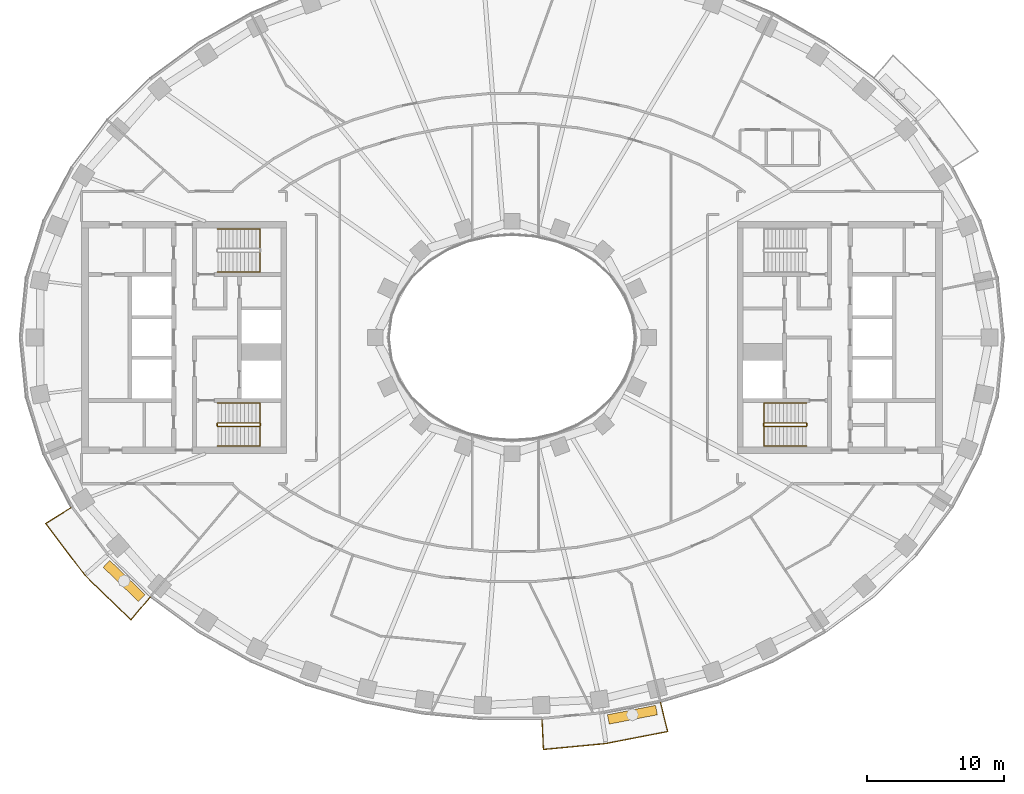
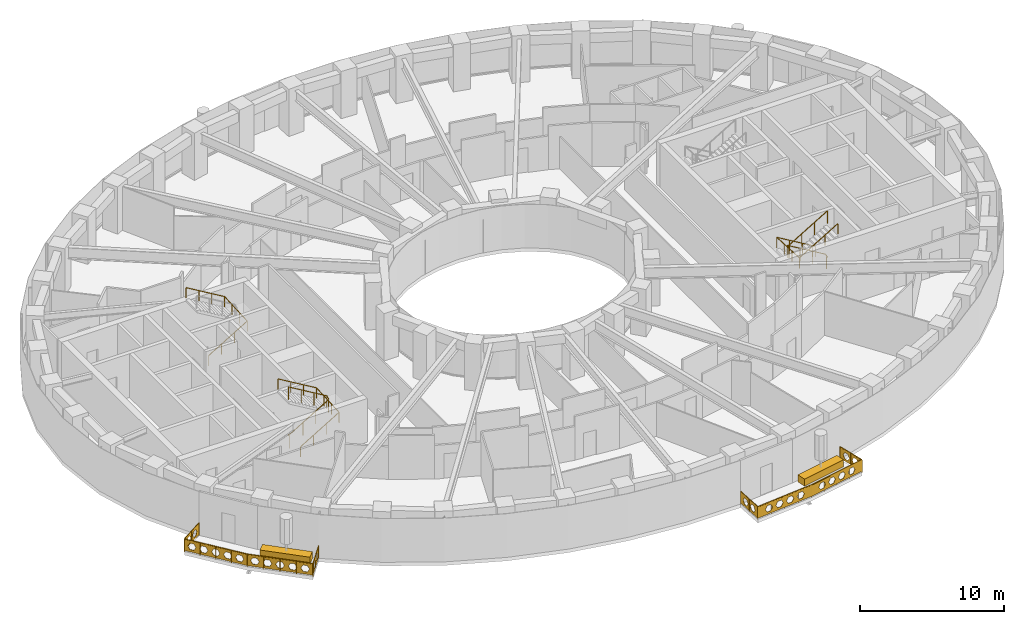
# One storey, part 15 of 17: 7 railings, 2 coverings.
"""IFC4 building model written with IfcOpenShell, lengths in metres."""

from ifc_helpers import new_model, si_unit, direction, frame, origin, origin_2d, place, context, subcontext, project, spatial, polyline, rectangle, outline, extrude, material, type_object, element, save


model = new_model("IFC4")

# Units and contexts
model_context = context("Model", 3, precision=1e-05, world=origin(), true_north=direction((0.0, 1.0)))
body_context = subcontext(model_context, "Body", "Model", "MODEL_VIEW")
ifc_project = project(units=[si_unit("LENGTHUNIT", "METRE"), si_unit("AREAUNIT", "SQUARE_METRE"), si_unit("VOLUMEUNIT", "CUBIC_METRE"), si_unit("PLANEANGLEUNIT", "RADIAN"), si_unit("MASSUNIT", "GRAM", prefix="KILO")], contexts=[model_context])

# Site, building, storey
site_placement = place(None, origin())
site = spatial("IfcSite", under=ifc_project, at=site_placement, CompositionType="ELEMENT")
building_placement = place(site_placement, origin())
building = spatial("IfcBuilding", under=site, at=building_placement, Name="Noorbagh Ring Tower", CompositionType="ELEMENT")
storey_placement = place(building_placement, frame((0.0, 0.0, 120.0)))
storey = spatial("IfcBuildingStorey", under=building, at=storey_placement, Name="L27", CompositionType="ELEMENT", Elevation=120.0)

# Railings
ifc_material_1 = material(Name="Stainless steel", Category="steel")
railing_type_1 = type_object("IfcRailingType", Name="CORE-STAIR-GUARD", PredefinedType="GUARDRAIL", material=ifc_material_1)
railing_1_placement = place(storey_placement, frame((-21.580078125, -6.449951171875, 0.0)))
element("IfcRailing", 1, at=railing_1_placement, inside=storey, type_object=railing_type_1, Name="L27 ST2 stair guard", PredefinedType="GUARDRAIL", context=body_context, shape_type="SweptSolid", body=[
    extrude(rectangle(XDim=0.048095703125, YDim=0.048095703125, at=origin_2d()), frame((0.0, 0.0, 1.076171875), z_axis=(0.0, 1.0, 0.0), x_axis=(-1.0, 0.0, 0.0)), (0.0, 0.0, 1.0), 0.14990234375),
    extrude(rectangle(XDim=0.048095703125, YDim=0.048095703125, at=origin_2d()), frame((0.0, 0.14990234375, 1.076171875), z_axis=(0.188775798145, -0.754182335027, 0.628945707965), x_axis=(0.970072785993, 0.242814311512, 0.0)), (0.0, 0.0, 1.0), 0.26513671875),
    extrude(rectangle(XDim=0.048095703125, YDim=0.048095703125, at=origin_2d()), frame((0.050048828125, -0.050048828125, 1.24267578125), z_axis=(0.859308565015, 0.0, 0.511457515432), x_axis=(0.0, 1.0, 0.0)), (0.0, 0.0, 1.0), 3.58447265625),
    extrude(rectangle(XDim=0.048095703125, YDim=0.048095703125, at=origin_2d()), frame((3.130126953125, -0.050048828125, 3.076171875), z_axis=(0.707106781187, 0.707106781187, 0.0), x_axis=(-0.707106781187, 0.707106781187, 0.0)), (0.0, 0.0, 1.0), 0.07080078125),
    extrude(rectangle(XDim=0.048095703125, YDim=0.048095703125, at=origin_2d()), frame((3.18017578125, 0.0, 3.076171875), z_axis=(0.0, 1.0, 0.0), x_axis=(-1.0, 0.0, 0.0)), (0.0, 0.0, 1.0), 0.14990234375),
    extrude(rectangle(XDim=0.048095703125, YDim=0.048095703125, at=origin_2d()), frame((3.18017578125, 0.14990234375, 3.076171875), z_axis=(-0.27628659633, 0.27628659633, 0.920506074601), x_axis=(-0.707106781187, -0.707106781187, 0.0)), (0.0, 0.0, 1.0), 0.18115234375),
    extrude(rectangle(XDim=0.048095703125, YDim=0.048095703125, at=origin_2d()), frame((3.130126953125, 0.199951171875, 3.24267578125), z_axis=(-0.859308565015, 0.0, 0.511457515432), x_axis=(0.0, -1.0, 0.0)), (0.0, 0.0, 1.0), 3.58447265625),
    extrude(rectangle(XDim=0.0419921875, YDim=0.0419921875, at=origin_2d()), origin(), (0.0, 0.0, 1.0), 1.052001953125),
    extrude(rectangle(XDim=0.0419921875, YDim=0.0419921875, at=origin_2d()), frame((1.07666015625, -0.050048828125, 0.77783203125)), (0.0, 0.0, 1.0), 1.052001953125),
    extrude(rectangle(XDim=0.0419921875, YDim=0.0419921875, at=origin_2d()), frame((2.103515625, -0.050048828125, 1.388916015625)), (0.0, 0.0, 1.0), 1.052001953125),
    extrude(rectangle(XDim=0.0419921875, YDim=0.0419921875, at=origin_2d()), frame((3.130126953125, -0.050048828125, 2.0)), (0.0, 0.0, 1.0), 1.052001953125),
    extrude(rectangle(XDim=0.0419921875, YDim=0.0419921875, at=origin_2d()), frame((3.130126953125, 0.199951171875, 2.166748046875)), (0.0, 0.0, 1.0), 1.052001953125),
    extrude(rectangle(XDim=0.0419921875, YDim=0.0419921875, at=origin_2d()), frame((2.103515625, 0.199951171875, 2.77783203125)), (0.0, 0.0, 1.0), 1.052001953125),
    extrude(rectangle(XDim=0.0419921875, YDim=0.0419921875, at=origin_2d()), frame((1.07666015625, 0.199951171875, 3.388916015625)), (0.0, 0.0, 1.0), 1.052001953125),
    extrude(rectangle(XDim=0.0419921875, YDim=0.0419921875, at=origin_2d()), frame((0.050048828125, 0.199951171875, 4.0)), (0.0, 0.0, 1.0), 1.052001953125),
])
railing_2_placement = place(storey_placement, frame((21.580078125, -6.300048828125, 0.0)))
element("IfcRailing", 2, at=railing_2_placement, inside=storey, type_object=railing_type_1, Name="L27 ST4 stair guard", PredefinedType="GUARDRAIL", context=body_context, shape_type="SweptSolid", body=[
    extrude(rectangle(XDim=0.048095703125, YDim=0.048095703125, at=origin_2d()), frame((0.0, 0.0, 1.076171875), z_axis=(0.0, -1.0, 0.0), x_axis=(1.0, 0.0, 0.0)), (0.0, 0.0, 1.0), 0.14990234375),
    extrude(rectangle(XDim=0.048095703125, YDim=0.048095703125, at=origin_2d()), frame((0.0, -0.14990234375, 1.076171875), z_axis=(-0.188775798145, 0.754182335027, 0.628945707965), x_axis=(-0.970072785993, -0.242814311512, 0.0)), (0.0, 0.0, 1.0), 0.26513671875),
    extrude(rectangle(XDim=0.048095703125, YDim=0.048095703125, at=origin_2d()), frame((-0.050048828125, 0.050048828125, 1.24267578125), z_axis=(-0.859308565015, 0.0, 0.511457515432), x_axis=(0.0, -1.0, 0.0)), (0.0, 0.0, 1.0), 3.58447265625),
    extrude(rectangle(XDim=0.048095703125, YDim=0.048095703125, at=origin_2d()), frame((-3.130126953125, 0.050048828125, 3.076171875), z_axis=(-0.707106781187, -0.707106781187, 0.0), x_axis=(0.707106781187, -0.707106781187, 0.0)), (0.0, 0.0, 1.0), 0.07080078125),
    extrude(rectangle(XDim=0.048095703125, YDim=0.048095703125, at=origin_2d()), frame((-3.18017578125, 0.0, 3.076171875), z_axis=(0.0, -1.0, 0.0), x_axis=(1.0, 0.0, 0.0)), (0.0, 0.0, 1.0), 0.14990234375),
    extrude(rectangle(XDim=0.048095703125, YDim=0.048095703125, at=origin_2d()), frame((-3.18017578125, -0.14990234375, 3.076171875), z_axis=(0.27628659633, -0.27628659633, 0.920506074601), x_axis=(0.707106781187, 0.707106781187, 0.0)), (0.0, 0.0, 1.0), 0.18115234375),
    extrude(rectangle(XDim=0.048095703125, YDim=0.048095703125, at=origin_2d()), frame((-3.130126953125, -0.199951171875, 3.24267578125), z_axis=(0.859308565015, 0.0, 0.511457515432), x_axis=(0.0, 1.0, 0.0)), (0.0, 0.0, 1.0), 3.58447265625),
    extrude(rectangle(XDim=0.0419921875, YDim=0.0419921875, at=origin_2d()), origin(), (0.0, 0.0, 1.0), 1.052001953125),
    extrude(rectangle(XDim=0.0419921875, YDim=0.0419921875, at=origin_2d()), frame((-1.07666015625, 0.050048828125, 0.77783203125)), (0.0, 0.0, 1.0), 1.052001953125),
    extrude(rectangle(XDim=0.0419921875, YDim=0.0419921875, at=origin_2d()), frame((-2.103515625, 0.050048828125, 1.388916015625)), (0.0, 0.0, 1.0), 1.052001953125),
    extrude(rectangle(XDim=0.0419921875, YDim=0.0419921875, at=origin_2d()), frame((-3.130126953125, 0.050048828125, 2.0)), (0.0, 0.0, 1.0), 1.052001953125),
    extrude(rectangle(XDim=0.0419921875, YDim=0.0419921875, at=origin_2d()), frame((-3.130126953125, -0.199951171875, 2.166748046875)), (0.0, 0.0, 1.0), 1.052001953125),
    extrude(rectangle(XDim=0.0419921875, YDim=0.0419921875, at=origin_2d()), frame((-2.103515625, -0.199951171875, 2.77783203125)), (0.0, 0.0, 1.0), 1.052001953125),
    extrude(rectangle(XDim=0.0419921875, YDim=0.0419921875, at=origin_2d()), frame((-1.07666015625, -0.199951171875, 3.388916015625)), (0.0, 0.0, 1.0), 1.052001953125),
    extrude(rectangle(XDim=0.0419921875, YDim=0.0419921875, at=origin_2d()), frame((-0.050048828125, -0.199951171875, 4.0)), (0.0, 0.0, 1.0), 1.052001953125),
])
ifc_material_2 = material(Name="Stainless steel", Category="steel")
railing_type_2 = type_object("IfcRailingType", Name="CORE-STAIR-HANDRAIL", PredefinedType="HANDRAIL", material=ifc_material_2)
railing_3_placement = place(storey_placement, frame((-21.530029296875, 4.800048828125, 0.166748046875)))
element("IfcRailing", 3, at=railing_3_placement, inside=storey, type_object=railing_type_2, Name="L27 ST1 stair handrail", PredefinedType="HANDRAIL", context=body_context, shape_type="SweptSolid", body=[
    extrude(rectangle(XDim=0.048095703125, YDim=0.048095703125, at=origin_2d()), frame((0.0, 0.0, 0.8759765625), z_axis=(0.859308565015, 0.0, 0.511457515432), x_axis=(0.0, 1.0, 0.0)), (0.0, 0.0, 1.0), 3.58447265625),
    extrude(rectangle(XDim=0.048095703125, YDim=0.048095703125, at=origin_2d()), frame((3.080078125, 0.0, 2.708984375), z_axis=(0.0, 0.998601747152, 0.052863509014), x_axis=(-1.0, 0.0, 0.0)), (0.0, 0.0, 1.0), 3.154296875),
    extrude(rectangle(XDim=0.048095703125, YDim=0.048095703125, at=origin_2d()), frame((3.080078125, 3.14990234375, 2.8759765625), z_axis=(-0.859308565015, 0.0, 0.511457515432), x_axis=(0.0, -1.0, 0.0)), (0.0, 0.0, 1.0), 3.58447265625),
    extrude(rectangle(XDim=0.0419921875, YDim=0.0419921875, at=origin_2d()), origin(), (0.0, 0.0, 1.0), 0.851806640625),
    extrude(rectangle(XDim=0.0419921875, YDim=0.0419921875, at=origin_2d()), frame((1.026611328125, 0.0, 0.611083984375)), (0.0, 0.0, 1.0), 0.851806640625),
    extrude(rectangle(XDim=0.0419921875, YDim=0.0419921875, at=origin_2d()), frame((2.053466796875, 0.0, 1.22216796875)), (0.0, 0.0, 1.0), 0.851806640625),
    extrude(rectangle(XDim=0.0419921875, YDim=0.0419921875, at=origin_2d()), frame((3.080078125, 0.0, 1.833251953125)), (0.0, 0.0, 1.0), 0.851806640625),
    extrude(rectangle(XDim=0.0419921875, YDim=0.0419921875, at=origin_2d()), frame((3.080078125, 1.050048828125, 1.888916015625)), (0.0, 0.0, 1.0), 0.851806640625),
    extrude(rectangle(XDim=0.0419921875, YDim=0.0419921875, at=origin_2d()), frame((3.080078125, 2.099853515625, 1.9443359375)), (0.0, 0.0, 1.0), 0.851806640625),
    extrude(rectangle(XDim=0.0419921875, YDim=0.0419921875, at=origin_2d()), frame((3.080078125, 3.14990234375, 2.0)), (0.0, 0.0, 1.0), 0.851806640625),
    extrude(rectangle(XDim=0.0419921875, YDim=0.0419921875, at=origin_2d()), frame((2.053466796875, 3.14990234375, 2.611083984375)), (0.0, 0.0, 1.0), 0.851806640625),
    extrude(rectangle(XDim=0.0419921875, YDim=0.0419921875, at=origin_2d()), frame((1.026611328125, 3.14990234375, 3.22216796875)), (0.0, 0.0, 1.0), 0.851806640625),
    extrude(rectangle(XDim=0.0419921875, YDim=0.0419921875, at=origin_2d()), frame((0.0, 3.14990234375, 3.833251953125)), (0.0, 0.0, 1.0), 0.851806640625),
])
railing_4_placement = place(storey_placement, frame((-21.530029296875, -7.949951171875, 0.166748046875)))
element("IfcRailing", 4, at=railing_4_placement, inside=storey, type_object=railing_type_2, Name="L27 ST2 stair handrail", PredefinedType="HANDRAIL", context=body_context, shape_type="SweptSolid", body=[
    extrude(rectangle(XDim=0.048095703125, YDim=0.048095703125, at=origin_2d()), frame((0.0, 0.0, 0.8759765625), z_axis=(0.859308565015, 0.0, 0.511457515432), x_axis=(0.0, 1.0, 0.0)), (0.0, 0.0, 1.0), 3.58447265625),
    extrude(rectangle(XDim=0.048095703125, YDim=0.048095703125, at=origin_2d()), frame((3.080078125, 0.0, 2.708984375), z_axis=(0.0, 0.998601747152, 0.052863509014), x_axis=(-1.0, 0.0, 0.0)), (0.0, 0.0, 1.0), 3.154296875),
    extrude(rectangle(XDim=0.048095703125, YDim=0.048095703125, at=origin_2d()), frame((3.080078125, 3.14990234375, 2.8759765625), z_axis=(-0.859308565015, 0.0, 0.511457515432), x_axis=(0.0, -1.0, 0.0)), (0.0, 0.0, 1.0), 3.58447265625),
    extrude(rectangle(XDim=0.0419921875, YDim=0.0419921875, at=origin_2d()), origin(), (0.0, 0.0, 1.0), 0.851806640625),
    extrude(rectangle(XDim=0.0419921875, YDim=0.0419921875, at=origin_2d()), frame((1.026611328125, 0.0, 0.611083984375)), (0.0, 0.0, 1.0), 0.851806640625),
    extrude(rectangle(XDim=0.0419921875, YDim=0.0419921875, at=origin_2d()), frame((2.053466796875, 0.0, 1.22216796875)), (0.0, 0.0, 1.0), 0.851806640625),
    extrude(rectangle(XDim=0.0419921875, YDim=0.0419921875, at=origin_2d()), frame((3.080078125, 0.0, 1.833251953125)), (0.0, 0.0, 1.0), 0.851806640625),
    extrude(rectangle(XDim=0.0419921875, YDim=0.0419921875, at=origin_2d()), frame((3.080078125, 1.050048828125, 1.888916015625)), (0.0, 0.0, 1.0), 0.851806640625),
    extrude(rectangle(XDim=0.0419921875, YDim=0.0419921875, at=origin_2d()), frame((3.080078125, 2.099853515625, 1.9443359375)), (0.0, 0.0, 1.0), 0.851806640625),
    extrude(rectangle(XDim=0.0419921875, YDim=0.0419921875, at=origin_2d()), frame((3.080078125, 3.14990234375, 2.0)), (0.0, 0.0, 1.0), 0.851806640625),
    extrude(rectangle(XDim=0.0419921875, YDim=0.0419921875, at=origin_2d()), frame((2.053466796875, 3.14990234375, 2.611083984375)), (0.0, 0.0, 1.0), 0.851806640625),
    extrude(rectangle(XDim=0.0419921875, YDim=0.0419921875, at=origin_2d()), frame((1.026611328125, 3.14990234375, 3.22216796875)), (0.0, 0.0, 1.0), 0.851806640625),
    extrude(rectangle(XDim=0.0419921875, YDim=0.0419921875, at=origin_2d()), frame((0.0, 3.14990234375, 3.833251953125)), (0.0, 0.0, 1.0), 0.851806640625),
])
railing_5_placement = place(storey_placement, frame((21.530029296875, -4.800048828125, 0.166748046875)))
element("IfcRailing", 5, at=railing_5_placement, inside=storey, type_object=railing_type_2, Name="L27 ST4 stair handrail", PredefinedType="HANDRAIL", context=body_context, shape_type="SweptSolid", body=[
    extrude(rectangle(XDim=0.048095703125, YDim=0.048095703125, at=origin_2d()), frame((0.0, 0.0, 0.8759765625), z_axis=(-0.859308565015, 0.0, 0.511457515432), x_axis=(0.0, -1.0, 0.0)), (0.0, 0.0, 1.0), 3.58447265625),
    extrude(rectangle(XDim=0.048095703125, YDim=0.048095703125, at=origin_2d()), frame((-3.080078125, 0.0, 2.708984375), z_axis=(0.0, -0.998601747152, 0.052863509014), x_axis=(1.0, 0.0, 0.0)), (0.0, 0.0, 1.0), 3.154296875),
    extrude(rectangle(XDim=0.048095703125, YDim=0.048095703125, at=origin_2d()), frame((-3.080078125, -3.14990234375, 2.8759765625), z_axis=(0.859308565015, 0.0, 0.511457515432), x_axis=(0.0, 1.0, 0.0)), (0.0, 0.0, 1.0), 3.58447265625),
    extrude(rectangle(XDim=0.0419921875, YDim=0.0419921875, at=origin_2d()), origin(), (0.0, 0.0, 1.0), 0.851806640625),
    extrude(rectangle(XDim=0.0419921875, YDim=0.0419921875, at=origin_2d()), frame((-1.026611328125, 0.0, 0.611083984375)), (0.0, 0.0, 1.0), 0.851806640625),
    extrude(rectangle(XDim=0.0419921875, YDim=0.0419921875, at=origin_2d()), frame((-2.053466796875, 0.0, 1.22216796875)), (0.0, 0.0, 1.0), 0.851806640625),
    extrude(rectangle(XDim=0.0419921875, YDim=0.0419921875, at=origin_2d()), frame((-3.080078125, 0.0, 1.833251953125)), (0.0, 0.0, 1.0), 0.851806640625),
    extrude(rectangle(XDim=0.0419921875, YDim=0.0419921875, at=origin_2d()), frame((-3.080078125, -1.050048828125, 1.888916015625)), (0.0, 0.0, 1.0), 0.851806640625),
    extrude(rectangle(XDim=0.0419921875, YDim=0.0419921875, at=origin_2d()), frame((-3.080078125, -2.099853515625, 1.9443359375)), (0.0, 0.0, 1.0), 0.851806640625),
    extrude(rectangle(XDim=0.0419921875, YDim=0.0419921875, at=origin_2d()), frame((-3.080078125, -3.14990234375, 2.0)), (0.0, 0.0, 1.0), 0.851806640625),
    extrude(rectangle(XDim=0.0419921875, YDim=0.0419921875, at=origin_2d()), frame((-2.053466796875, -3.14990234375, 2.611083984375)), (0.0, 0.0, 1.0), 0.851806640625),
    extrude(rectangle(XDim=0.0419921875, YDim=0.0419921875, at=origin_2d()), frame((-1.026611328125, -3.14990234375, 3.22216796875)), (0.0, 0.0, 1.0), 0.851806640625),
    extrude(rectangle(XDim=0.0419921875, YDim=0.0419921875, at=origin_2d()), frame((0.0, -3.14990234375, 3.833251953125)), (0.0, 0.0, 1.0), 0.851806640625),
])
ifc_material_3 = material(Name="Steel S275 black powder-coated", Category="steel")
railing_type_3 = type_object("IfcRailingType", Name="ENV-GUARD", PredefinedType="GUARDRAIL", material=ifc_material_3)
railing_6_placement = place(storey_placement, frame((-32.255126953125, -12.434814453125, 0.0)))
element("IfcRailing", 6, at=railing_6_placement, inside=storey, type_object=railing_type_3, Name="Balcony guard BS01", PredefinedType="GUARDRAIL", context=body_context, shape_type="SweptSolid", body=[
    extrude(rectangle(XDim=0.048095703125, YDim=0.048095703125, at=origin_2d()), frame((0.0, 0.0, 1.076171875), z_axis=(-0.844852397829, -0.534999463442, 0.0), x_axis=(0.534999463442, -0.844852397829, 0.0)), (0.0, 0.0, 1.0), 2.207763671875),
    extrude(rectangle(XDim=0.048095703125, YDim=0.048095703125, at=origin_2d()), frame((-1.865234375, -1.18115234375, 1.076171875), z_axis=(0.604001613322, -0.796983093362, 0.0), x_axis=(0.796983093362, 0.604001613322, 0.0)), (0.0, 0.0, 1.0), 4.7353515625),
    extrude(rectangle(XDim=0.048095703125, YDim=0.048095703125, at=origin_2d()), frame((0.994873046875, -4.955078125, 1.076171875), z_axis=(0.717212632946, -0.696854388766, 0.0), x_axis=(0.696854388766, 0.717212632946, 0.0)), (0.0, 0.0, 1.0), 4.700927734375),
    extrude(rectangle(XDim=0.048095703125, YDim=0.048095703125, at=origin_2d()), frame((4.366455078125, -8.23095703125, 1.076171875), z_axis=(0.646413574048, 0.762987215677, 0.0), x_axis=(-0.762987215677, 0.646413574048, 0.0)), (0.0, 0.0, 1.0), 2.205322265625),
    extrude(rectangle(XDim=0.0419921875, YDim=0.0419921875, at=origin_2d()), origin(), (0.0, 0.0, 1.0), 1.052001953125),
    extrude(rectangle(XDim=0.0419921875, YDim=0.0419921875, at=origin_2d()), frame((-0.9326171875, -0.590576171875, 0.0)), (0.0, 0.0, 1.0), 1.052001953125),
    extrude(rectangle(XDim=0.0419921875, YDim=0.0419921875, at=origin_2d()), frame((-1.865234375, -1.18115234375, 0.0)), (0.0, 0.0, 1.0), 1.052001953125),
    extrude(rectangle(XDim=0.0419921875, YDim=0.0419921875, at=origin_2d()), frame((-1.150146484375, -2.12451171875, 0.0)), (0.0, 0.0, 1.0), 1.052001953125),
    extrude(rectangle(XDim=0.0419921875, YDim=0.0419921875, at=origin_2d()), frame((-0.43505859375, -3.068115234375, 0.0)), (0.0, 0.0, 1.0), 1.052001953125),
    extrude(rectangle(XDim=0.0419921875, YDim=0.0419921875, at=origin_2d()), frame((0.27978515625, -4.01171875, 0.0)), (0.0, 0.0, 1.0), 1.052001953125),
    extrude(rectangle(XDim=0.0419921875, YDim=0.0419921875, at=origin_2d()), frame((0.994873046875, -4.955078125, 0.0)), (0.0, 0.0, 1.0), 1.052001953125),
    extrude(rectangle(XDim=0.0419921875, YDim=0.0419921875, at=origin_2d()), frame((1.837890625, -5.77392578125, 0.0)), (0.0, 0.0, 1.0), 1.052001953125),
    extrude(rectangle(XDim=0.0419921875, YDim=0.0419921875, at=origin_2d()), frame((2.6806640625, -6.593017578125, 0.0)), (0.0, 0.0, 1.0), 1.052001953125),
    extrude(rectangle(XDim=0.0419921875, YDim=0.0419921875, at=origin_2d()), frame((3.5234375, -7.412109375, 0.0)), (0.0, 0.0, 1.0), 1.052001953125),
    extrude(rectangle(XDim=0.0419921875, YDim=0.0419921875, at=origin_2d()), frame((4.366455078125, -8.23095703125, 0.0)), (0.0, 0.0, 1.0), 1.052001953125),
    extrude(rectangle(XDim=0.0419921875, YDim=0.0419921875, at=origin_2d()), frame((5.0791015625, -7.3896484375, 0.0)), (0.0, 0.0, 1.0), 1.052001953125),
    extrude(rectangle(XDim=0.0419921875, YDim=0.0419921875, at=origin_2d()), frame((5.7919921875, -6.54833984375, 0.0)), (0.0, 0.0, 1.0), 1.052001953125),
    extrude(outline(polyline([(0.0, 0.10009765625), (2.207763671875, 0.10009765625), (2.207763671875, 1.031982421875), (0.0, 1.031982421875), (0.0, 0.10009765625)]), holes=[polyline([(0.9638671875, 0.56591796875), (0.808837890625, 0.83447265625), (0.498779296875, 0.83447265625), (0.343994140625, 0.56591796875), (0.498779296875, 0.297607421875), (0.808837890625, 0.297607421875), (0.9638671875, 0.56591796875)]), polyline([(1.86376953125, 0.56591796875), (1.708984375, 0.83447265625), (1.39892578125, 0.83447265625), (1.243896484375, 0.56591796875), (1.39892578125, 0.297607421875), (1.708984375, 0.297607421875), (1.86376953125, 0.56591796875)])]), frame((0.00537109375, -0.008544921875, 0.0), z_axis=(-0.534999463442, 0.844852397829, 0.0), x_axis=(-0.844852397829, -0.534999463442, 0.0)), (0.0, 0.0, 1.0), 0.02001953125),
    extrude(outline(polyline([(0.0, 0.10009765625), (4.7353515625, 0.10009765625), (4.7353515625, 1.031982421875), (0.0, 1.031982421875), (0.0, 0.10009765625)]), holes=[polyline([(0.877685546875, 0.56591796875), (0.72265625, 0.83447265625), (0.41259765625, 0.83447265625), (0.257568359375, 0.56591796875), (0.41259765625, 0.297607421875), (0.72265625, 0.297607421875), (0.877685546875, 0.56591796875)]), polyline([(1.777587890625, 0.56591796875), (1.62255859375, 0.83447265625), (1.312744140625, 0.83447265625), (1.15771484375, 0.56591796875), (1.312744140625, 0.297607421875), (1.62255859375, 0.297607421875), (1.777587890625, 0.56591796875)]), polyline([(2.677734375, 0.56591796875), (2.522705078125, 0.83447265625), (2.212646484375, 0.83447265625), (2.0576171875, 0.56591796875), (2.212646484375, 0.297607421875), (2.522705078125, 0.297607421875), (2.677734375, 0.56591796875)]), polyline([(3.57763671875, 0.56591796875), (3.422607421875, 0.83447265625), (3.112548828125, 0.83447265625), (2.95751953125, 0.56591796875), (3.112548828125, 0.297607421875), (3.422607421875, 0.297607421875), (3.57763671875, 0.56591796875)]), polyline([(4.4775390625, 0.56591796875), (4.32275390625, 0.83447265625), (4.0126953125, 0.83447265625), (3.857666015625, 0.56591796875), (4.0126953125, 0.297607421875), (4.32275390625, 0.297607421875), (4.4775390625, 0.56591796875)])]), frame((-1.857177734375, -1.175048828125, 0.0), z_axis=(-0.796983093362, -0.604001613322, 0.0), x_axis=(0.604001613322, -0.796983093362, 0.0)), (0.0, 0.0, 1.0), 0.02001953125),
    extrude(outline(polyline([(0.0, 0.10009765625), (4.700927734375, 0.10009765625), (4.700927734375, 1.031982421875), (0.0, 1.031982421875), (0.0, 0.10009765625)]), holes=[polyline([(0.860595703125, 0.56591796875), (0.70556640625, 0.83447265625), (0.3955078125, 0.83447265625), (0.240478515625, 0.56591796875), (0.3955078125, 0.297607421875), (0.70556640625, 0.297607421875), (0.860595703125, 0.56591796875)]), polyline([(1.760498046875, 0.56591796875), (1.60546875, 0.83447265625), (1.29541015625, 0.83447265625), (1.140380859375, 0.56591796875), (1.29541015625, 0.297607421875), (1.60546875, 0.297607421875), (1.760498046875, 0.56591796875)]), polyline([(2.660400390625, 0.56591796875), (2.50537109375, 0.83447265625), (2.195556640625, 0.83447265625), (2.04052734375, 0.56591796875), (2.195556640625, 0.297607421875), (2.50537109375, 0.297607421875), (2.660400390625, 0.56591796875)]), polyline([(3.560546875, 0.56591796875), (3.405517578125, 0.83447265625), (3.095458984375, 0.83447265625), (2.9404296875, 0.56591796875), (3.095458984375, 0.297607421875), (3.405517578125, 0.297607421875), (3.560546875, 0.56591796875)]), polyline([(4.46044921875, 0.56591796875), (4.305419921875, 0.83447265625), (3.995361328125, 0.83447265625), (3.840576171875, 0.56591796875), (3.995361328125, 0.297607421875), (4.305419921875, 0.297607421875), (4.46044921875, 0.56591796875)])]), frame((1.001953125, -4.947998046875, 0.0), z_axis=(-0.696854388766, -0.717212632946, 0.0), x_axis=(0.717212632946, -0.696854388766, 0.0)), (0.0, 0.0, 1.0), 0.02001953125),
    extrude(outline(polyline([(0.0, 0.10009765625), (2.205322265625, 0.10009765625), (2.205322265625, 1.031982421875), (0.0, 1.031982421875), (0.0, 0.10009765625)]), holes=[polyline([(0.962646484375, 0.56591796875), (0.8076171875, 0.83447265625), (0.49755859375, 0.83447265625), (0.342529296875, 0.56591796875), (0.49755859375, 0.297607421875), (0.8076171875, 0.297607421875), (0.962646484375, 0.56591796875)]), polyline([(1.862548828125, 0.56591796875), (1.707763671875, 0.83447265625), (1.397705078125, 0.83447265625), (1.24267578125, 0.56591796875), (1.397705078125, 0.297607421875), (1.707763671875, 0.297607421875), (1.862548828125, 0.56591796875)])]), frame((4.35888671875, -8.224609375, 0.0), z_axis=(0.762987215677, -0.646413574048, 0.0), x_axis=(0.646413574048, 0.762987215677, 0.0)), (0.0, 0.0, 1.0), 0.02001953125),
])
railing_7_placement = place(storey_placement, frame((2.193115234375, -27.947998046875, 0.0)))
element("IfcRailing", 7, at=railing_7_placement, inside=storey, type_object=railing_type_3, Name="Balcony guard BS04", PredefinedType="GUARDRAIL", context=body_context, shape_type="SweptSolid", body=[
    extrude(rectangle(XDim=0.048095703125, YDim=0.048095703125, at=origin_2d()), frame((0.0, 0.0, 1.076171875), z_axis=(0.047554616162, -0.998868639252, 0.0), x_axis=(0.998868639252, 0.047554616162, 0.0)), (0.0, 0.0, 1.0), 2.202392578125),
    extrude(rectangle(XDim=0.048095703125, YDim=0.048095703125, at=origin_2d()), frame((0.104736328125, -2.199951171875, 1.076171875), z_axis=(0.995477555764, 0.094997031379, 0.0), x_axis=(-0.094997031379, 0.995477555764, 0.0)), (0.0, 0.0, 1.0), 4.59765625),
    extrude(rectangle(XDim=0.048095703125, YDim=0.048095703125, at=origin_2d()), frame((4.681640625, -1.76318359375, 1.076171875), z_axis=(0.981625049064, 0.1908199755, 0.0), x_axis=(-0.1908199755, 0.981625049064, 0.0)), (0.0, 0.0, 1.0), 4.603271484375),
    extrude(rectangle(XDim=0.048095703125, YDim=0.048095703125, at=origin_2d()), frame((9.200439453125, -0.884765625, 1.076171875), z_axis=(-0.239848558412, 0.970810315679, 0.0), x_axis=(-0.970810315679, -0.239848558412, 0.0)), (0.0, 0.0, 1.0), 2.20263671875),
    extrude(rectangle(XDim=0.0419921875, YDim=0.0419921875, at=origin_2d()), origin(), (0.0, 0.0, 1.0), 1.052001953125),
    extrude(rectangle(XDim=0.0419921875, YDim=0.0419921875, at=origin_2d()), frame((0.05224609375, -1.10009765625, 0.0)), (0.0, 0.0, 1.0), 1.052001953125),
    extrude(rectangle(XDim=0.0419921875, YDim=0.0419921875, at=origin_2d()), frame((0.104736328125, -2.199951171875, 0.0)), (0.0, 0.0, 1.0), 1.052001953125),
    extrude(rectangle(XDim=0.0419921875, YDim=0.0419921875, at=origin_2d()), frame((1.2490234375, -2.0908203125, 0.0)), (0.0, 0.0, 1.0), 1.052001953125),
    extrude(rectangle(XDim=0.0419921875, YDim=0.0419921875, at=origin_2d()), frame((2.39306640625, -1.9814453125, 0.0)), (0.0, 0.0, 1.0), 1.052001953125),
    extrude(rectangle(XDim=0.0419921875, YDim=0.0419921875, at=origin_2d()), frame((3.537353515625, -1.872314453125, 0.0)), (0.0, 0.0, 1.0), 1.052001953125),
    extrude(rectangle(XDim=0.0419921875, YDim=0.0419921875, at=origin_2d()), frame((4.681640625, -1.76318359375, 0.0)), (0.0, 0.0, 1.0), 1.052001953125),
    extrude(rectangle(XDim=0.0419921875, YDim=0.0419921875, at=origin_2d()), frame((5.811279296875, -1.54345703125, 0.0)), (0.0, 0.0, 1.0), 1.052001953125),
    extrude(rectangle(XDim=0.0419921875, YDim=0.0419921875, at=origin_2d()), frame((6.94091796875, -1.323974609375, 0.0)), (0.0, 0.0, 1.0), 1.052001953125),
    extrude(rectangle(XDim=0.0419921875, YDim=0.0419921875, at=origin_2d()), frame((8.07080078125, -1.1044921875, 0.0)), (0.0, 0.0, 1.0), 1.052001953125),
    extrude(rectangle(XDim=0.0419921875, YDim=0.0419921875, at=origin_2d()), frame((9.200439453125, -0.884765625, 0.0)), (0.0, 0.0, 1.0), 1.052001953125),
    extrude(rectangle(XDim=0.0419921875, YDim=0.0419921875, at=origin_2d()), frame((8.936279296875, 0.1845703125, 0.0)), (0.0, 0.0, 1.0), 1.052001953125),
    extrude(rectangle(XDim=0.0419921875, YDim=0.0419921875, at=origin_2d()), frame((8.672119140625, 1.253662109375, 0.0)), (0.0, 0.0, 1.0), 1.052001953125),
    extrude(outline(polyline([(0.0, 0.10009765625), (2.202392578125, 0.10009765625), (2.202392578125, 1.031982421875), (0.0, 1.031982421875), (0.0, 0.10009765625)]), holes=[polyline([(0.961181640625, 0.56591796875), (0.80615234375, 0.83447265625), (0.496337890625, 0.83447265625), (0.34130859375, 0.56591796875), (0.496337890625, 0.297607421875), (0.80615234375, 0.297607421875), (0.961181640625, 0.56591796875)]), polyline([(1.861328125, 0.56591796875), (1.706298828125, 0.83447265625), (1.396240234375, 0.83447265625), (1.2412109375, 0.56591796875), (1.396240234375, 0.297607421875), (1.706298828125, 0.297607421875), (1.861328125, 0.56591796875)])]), frame((0.010009765625, 0.00048828125, 0.0), z_axis=(-0.998868639252, -0.047554616162, 0.0), x_axis=(0.047554616162, -0.998868639252, 0.0)), (0.0, 0.0, 1.0), 0.02001953125),
    extrude(outline(polyline([(0.0, 0.10009765625), (4.59765625, 0.10009765625), (4.59765625, 1.031982421875), (0.0, 1.031982421875), (0.0, 0.10009765625)]), holes=[polyline([(1.2587890625, 0.56591796875), (1.103759765625, 0.83447265625), (0.7939453125, 0.83447265625), (0.638916015625, 0.56591796875), (0.7939453125, 0.297607421875), (1.103759765625, 0.297607421875), (1.2587890625, 0.56591796875)]), polyline([(2.158935546875, 0.56591796875), (2.00390625, 0.83447265625), (1.69384765625, 0.83447265625), (1.538818359375, 0.56591796875), (1.69384765625, 0.297607421875), (2.00390625, 0.297607421875), (2.158935546875, 0.56591796875)]), polyline([(3.058837890625, 0.56591796875), (2.90380859375, 0.83447265625), (2.59375, 0.83447265625), (2.43896484375, 0.56591796875), (2.59375, 0.297607421875), (2.90380859375, 0.297607421875), (3.058837890625, 0.56591796875)]), polyline([(3.958740234375, 0.56591796875), (3.803955078125, 0.83447265625), (3.493896484375, 0.83447265625), (3.3388671875, 0.56591796875), (3.493896484375, 0.297607421875), (3.803955078125, 0.297607421875), (3.958740234375, 0.56591796875)])]), frame((0.103759765625, -2.18994140625, 0.0), z_axis=(0.094997031379, -0.995477555764, 0.0), x_axis=(0.995477555764, 0.094997031379, 0.0)), (0.0, 0.0, 1.0), 0.02001953125),
    extrude(outline(polyline([(0.0, 0.10009765625), (4.603271484375, 0.10009765625), (4.603271484375, 1.031982421875), (0.0, 1.031982421875), (0.0, 0.10009765625)]), holes=[polyline([(1.26171875, 0.56591796875), (1.106689453125, 0.83447265625), (0.796630859375, 0.83447265625), (0.6416015625, 0.56591796875), (0.796630859375, 0.297607421875), (1.106689453125, 0.297607421875), (1.26171875, 0.56591796875)]), polyline([(2.16162109375, 0.56591796875), (2.006591796875, 0.83447265625), (1.69677734375, 0.83447265625), (1.541748046875, 0.56591796875), (1.69677734375, 0.297607421875), (2.006591796875, 0.297607421875), (2.16162109375, 0.56591796875)]), polyline([(3.061767578125, 0.56591796875), (2.90673828125, 0.83447265625), (2.5966796875, 0.83447265625), (2.441650390625, 0.56591796875), (2.5966796875, 0.297607421875), (2.90673828125, 0.297607421875), (3.061767578125, 0.56591796875)]), polyline([(3.961669921875, 0.56591796875), (3.806640625, 0.83447265625), (3.49658203125, 0.83447265625), (3.341796875, 0.56591796875), (3.49658203125, 0.297607421875), (3.806640625, 0.297607421875), (3.961669921875, 0.56591796875)])]), frame((4.6796875, -1.75341796875, 0.0), z_axis=(0.1908199755, -0.981625049064, 0.0), x_axis=(0.981625049064, 0.1908199755, 0.0)), (0.0, 0.0, 1.0), 0.02001953125),
    extrude(outline(polyline([(0.0, 0.10009765625), (2.20263671875, 0.10009765625), (2.20263671875, 1.031982421875), (0.0, 1.031982421875), (0.0, 0.10009765625)]), holes=[polyline([(0.96142578125, 0.56591796875), (0.806396484375, 0.83447265625), (0.496337890625, 0.83447265625), (0.34130859375, 0.56591796875), (0.496337890625, 0.297607421875), (0.806396484375, 0.297607421875), (0.96142578125, 0.56591796875)]), polyline([(1.861328125, 0.56591796875), (1.706298828125, 0.83447265625), (1.396240234375, 0.83447265625), (1.241455078125, 0.56591796875), (1.396240234375, 0.297607421875), (1.706298828125, 0.297607421875), (1.861328125, 0.56591796875)])]), frame((9.190673828125, -0.88720703125, 0.0), z_axis=(0.970810315679, 0.239848558412, 0.0), x_axis=(-0.239848558412, 0.970810315679, 0.0)), (0.0, 0.0, 1.0), 0.02001953125),
])

# Coverings
ifc_material_4 = material(Name="Concrete C30/37 planter with soil", Category="concrete")
covering_type = type_object("IfcCoveringType", Name="ENV-PLANTER", PredefinedType="CLADDING", material=ifc_material_4)
covering_1_placement = place(storey_placement, frame((-28.3837890625, -17.814208984375, 0.0), z_axis=(0.0, 0.0, 1.0), x_axis=(0.717224548362, -0.696842125038, 0.0)))
element("IfcCovering", 8, at=covering_1_placement, inside=storey, type_object=covering_type, Name="PLANTER BS01", ObjectType="PLANTER", PredefinedType="CLADDING", context=body_context, shape_type="SweptSolid", body=[
    extrude(rectangle(XDim=3.584228515625, YDim=0.699951171875, at=origin_2d()), origin(), (0.0, 0.0, 1.0), 0.60009765625),
])
covering_2_placement = place(storey_placement, frame((8.807861328125, -27.603515625, 0.0), z_axis=(0.0, 0.0, 1.0), x_axis=(0.981624952922, 0.190820470077, 0.0)))
element("IfcCovering", 9, at=covering_2_placement, inside=storey, type_object=covering_type, Name="PLANTER BS04", ObjectType="PLANTER", PredefinedType="CLADDING", context=body_context, shape_type="SweptSolid", body=[
    extrude(rectangle(XDim=3.586181640625, YDim=0.699951171875, at=origin_2d()), origin(), (0.0, 0.0, 1.0), 0.60009765625),
])

save(model, "model.ifc")
